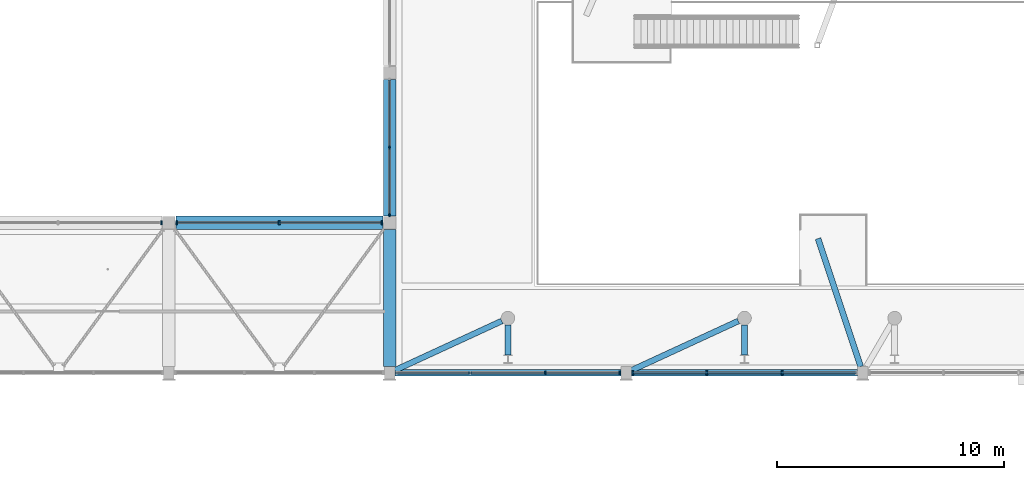
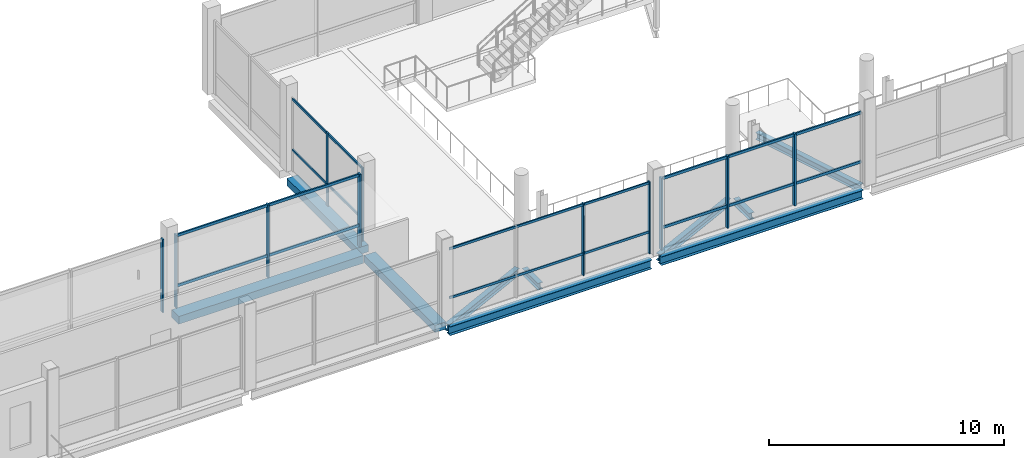
# One storey, part 25 of 95: 19 members, 10 beams, 5 elements without a shape of their own.
"""IFC4 building model written with IfcOpenShell, lengths in metres."""

from ifc_helpers import new_model, si_unit, derived_unit, direction, frame, origin, origin_2d, place, context, subcontext, project, spatial, rectangle, i_section, extrude, material, material_profile, profile_set, type_object, element, aggregate, save


model = new_model("IFC4")

# Units and contexts
model_context = context("Model", 3, precision=1e-05, world=origin(), true_north=direction((0.0, 1.0)))
body_context = subcontext(model_context, "Body", "Model", "MODEL_VIEW")
ifc_project = project(units=[si_unit("LENGTHUNIT", "METRE"), si_unit("AREAUNIT", "SQUARE_METRE"), si_unit("VOLUMEUNIT", "CUBIC_METRE"), si_unit("PLANEANGLEUNIT", "RADIAN"), si_unit("MASSUNIT", "GRAM", prefix="KILO"), derived_unit("THERMALTRANSMITTANCEUNIT", [(si_unit("POWERUNIT", "WATT"), 1), (si_unit("LENGTHUNIT", "METRE"), -2), (si_unit("THERMODYNAMICTEMPERATUREUNIT", "KELVIN"), -1)])], contexts=[model_context])

# Site, building, storey
site_placement = place(None, origin())
site = spatial("IfcSite", under=ifc_project, at=site_placement, CompositionType="ELEMENT")
building_placement = place(site_placement, origin())
building = spatial("IfcBuilding", under=site, at=building_placement, Name="Braskholm Square Health Centre", CompositionType="ELEMENT")
storey_placement = place(building_placement, frame((0.0, 0.0, 4.800048828125)))
storey = spatial("IfcBuildingStorey", under=building, at=storey_placement, Name="L02", CompositionType="ELEMENT", Elevation=4.800048828125)

# Curtain wall, members
ifc_material_1 = material(Name="Low-E triple insulating glass (VLT 0.64)", Category="glass")
curtain_wall_type = type_object("IfcCurtainWallType", Name="UnitisedCurtainWall6200x3800", PredefinedType="NOTDEFINED", material=ifc_material_1)
curtain_wall_1_placement = place(storey_placement, origin())
curtain_wall_1 = element("IfcCurtainWall", 1, at=curtain_wall_1_placement, inside=storey, type_object=curtain_wall_type, Name="Hall Gallery L02 unitised curtain wall CW-L02-0184", PredefinedType="NOTDEFINED")
ifc_material_2 = material(Name="Architectural bronze anodised aluminium", Category="aluminium")
ifc_material_profile_1 = material_profile(ifc_material_2, rectangle(XDim=0.06494140625, YDim=0.14990234375, at=origin_2d()), Name="ALU-65X150")
ifc_profile_set_1 = profile_set([ifc_material_profile_1], Name="Architectural bronze anodised aluminium")
member_type_1 = type_object("IfcMemberType", Name="CurtainWallMullion65x150", PredefinedType="MULLION", material=ifc_profile_set_1)
member_1_placement = place(storey_placement, frame((54.4560546875, 87.199951171875, 0.0), z_axis=(0.0, 0.0, 1.0), x_axis=(1.0, 0.0, 0.0)))
member_1 = element("IfcMember", 2, at=member_1_placement, type_object=member_type_1, Name="CW-L02-0184 vertical mullion 3", PredefinedType="MULLION", context=body_context, shape_type="SweptSolid", body=[
    extrude(rectangle(XDim=0.06494140625, YDim=0.14990234375, at=origin_2d()), origin(), (0.0, 0.0, 1.0), 3.737060546875),
])
member_2_placement = place(storey_placement, frame((57.70849609375, 87.199951171875, 0.0), z_axis=(0.0, 0.0, 1.0), x_axis=(1.0, 0.0, 0.0)))
member_2 = element("IfcMember", 3, at=member_2_placement, type_object=member_type_1, Name="CW-L02-0184 vertical mullion 4", PredefinedType="MULLION", context=body_context, shape_type="SweptSolid", body=[
    extrude(rectangle(XDim=0.06494140625, YDim=0.14990234375, at=origin_2d()), origin(), (0.0, 0.0, 1.0), 3.737060546875),
])

curtain_wall_2_placement = place(storey_placement, origin())
curtain_wall_2 = element("IfcCurtainWall", 4, at=curtain_wall_2_placement, inside=storey, type_object=curtain_wall_type, Name="Hall Cheek L02 unitised curtain wall CW-L02-0222", PredefinedType="NOTDEFINED")
member_3_placement = place(storey_placement, frame((47.60009765625, 97.10009765625, 0.0), z_axis=(0.0, 0.0, 1.0), x_axis=(1.0, 0.0, 0.0)))
member_3 = element("IfcMember", 5, at=member_3_placement, type_object=member_type_1, Name="CW-L02-0222 vertical mullion 2", PredefinedType="MULLION", context=body_context, shape_type="SweptSolid", body=[
    extrude(rectangle(XDim=0.06494140625, YDim=0.14990234375, at=origin_2d()), origin(), (0.0, 0.0, 1.0), 3.820068359375),
])
member_4_placement = place(storey_placement, frame((47.60009765625, 94.135986328125, 0.0), z_axis=(0.0, 0.0, 1.0), x_axis=(1.0, 0.0, 0.0)))
member_4 = element("IfcMember", 6, at=member_4_placement, type_object=member_type_1, Name="CW-L02-0222 vertical mullion 3", PredefinedType="MULLION", context=body_context, shape_type="SweptSolid", body=[
    extrude(rectangle(XDim=0.06494140625, YDim=0.14990234375, at=origin_2d()), origin(), (0.0, 0.0, 1.0), 3.820068359375),
])

# Curtain wall, member
curtain_wall_3_placement = place(storey_placement, origin())
curtain_wall_3 = element("IfcCurtainWall", 7, at=curtain_wall_3_placement, inside=storey, type_object=curtain_wall_type, Name="Portal North L02 unitised curtain wall CW-L02-0175", PredefinedType="NOTDEFINED")
ifc_material_profile_2 = material_profile(ifc_material_2, rectangle(XDim=0.074951171875, YDim=0.179931640625, at=origin_2d()), Name="ALU-75X180")
ifc_profile_set_2 = profile_set([ifc_material_profile_2], Name="Architectural bronze anodised aluminium")
member_type_2 = type_object("IfcMemberType", Name="CurtainWallMullion75x180", PredefinedType="MULLION", material=ifc_profile_set_2)
member_5_placement = place(storey_placement, frame((37.56787109375, 93.800048828125, 0.0), z_axis=(0.0, 0.0, 1.0), x_axis=(1.0, 0.0, 0.0)))
member_5 = element("IfcMember", 8, at=member_5_placement, type_object=member_type_2, Name="CW-L02-0175 vertical mullion 1", PredefinedType="MULLION", context=body_context, shape_type="SweptSolid", body=[
    extrude(rectangle(XDim=0.074951171875, YDim=0.179931640625, at=origin_2d()), origin(), (0.0, 0.0, 1.0), 3.800048828125),
])
aggregate(curtain_wall_3, [member_5])

# Curtain wall, members
curtain_wall_4_placement = place(storey_placement, origin())
curtain_wall_4 = element("IfcCurtainWall", 9, at=curtain_wall_4_placement, inside=storey, type_object=curtain_wall_type, Name="Portal North L02 unitised curtain wall CW-L02-0181", PredefinedType="NOTDEFINED")
member_6_placement = place(storey_placement, frame((47.26806640625, 93.800048828125, 0.0), z_axis=(0.0, 0.0, 1.0), x_axis=(1.0, 0.0, 0.0)))
member_6 = element("IfcMember", 10, at=member_6_placement, type_object=member_type_2, Name="CW-L02-0181 vertical mullion 1", PredefinedType="MULLION", context=body_context, shape_type="SweptSolid", body=[
    extrude(rectangle(XDim=0.074951171875, YDim=0.179931640625, at=origin_2d()), origin(), (0.0, 0.0, 1.0), 3.800048828125),
])
member_7_placement = place(storey_placement, frame((42.75, 93.800048828125, 0.0), z_axis=(0.0, 0.0, 1.0), x_axis=(1.0, 0.0, 0.0)))
member_7 = element("IfcMember", 11, at=member_7_placement, type_object=member_type_2, Name="CW-L02-0181 vertical mullion 2", PredefinedType="MULLION", context=body_context, shape_type="SweptSolid", body=[
    extrude(rectangle(XDim=0.074951171875, YDim=0.179931640625, at=origin_2d()), origin(), (0.0, 0.0, 1.0), 3.800048828125),
])
member_8_placement = place(storey_placement, frame((38.23193359375, 93.800048828125, 0.0), z_axis=(0.0, 0.0, 1.0), x_axis=(1.0, 0.0, 0.0)))
member_8 = element("IfcMember", 12, at=member_8_placement, type_object=member_type_2, Name="CW-L02-0181 vertical mullion 3", PredefinedType="MULLION", context=body_context, shape_type="SweptSolid", body=[
    extrude(rectangle(XDim=0.074951171875, YDim=0.179931640625, at=origin_2d()), origin(), (0.0, 0.0, 1.0), 3.800048828125),
])

curtain_wall_5_placement = place(storey_placement, origin())
curtain_wall_5 = element("IfcCurtainWall", 13, at=curtain_wall_5_placement, inside=storey, type_object=curtain_wall_type, Name="Hall Gallery L02 unitised curtain wall CW-L02-0187", PredefinedType="NOTDEFINED")
member_9_placement = place(storey_placement, frame((58.29150390625, 87.199951171875, 0.0), z_axis=(0.0, 0.0, 1.0), x_axis=(1.0, 0.0, 0.0)))
member_9 = element("IfcMember", 14, at=member_9_placement, type_object=member_type_2, Name="CW-L02-0187 vertical mullion 1", PredefinedType="MULLION", context=body_context, shape_type="SweptSolid", body=[
    extrude(rectangle(XDim=0.074951171875, YDim=0.179931640625, at=origin_2d()), origin(), (0.0, 0.0, 1.0), 3.737060546875),
])
member_10_placement = place(storey_placement, frame((61.5439453125, 87.199951171875, 0.0), z_axis=(0.0, 0.0, 1.0), x_axis=(1.0, 0.0, 0.0)))
member_10 = element("IfcMember", 15, at=member_10_placement, type_object=member_type_2, Name="CW-L02-0187 vertical mullion 2", PredefinedType="MULLION", context=body_context, shape_type="SweptSolid", body=[
    extrude(rectangle(XDim=0.074951171875, YDim=0.179931640625, at=origin_2d()), origin(), (0.0, 0.0, 1.0), 3.737060546875),
])
member_11_placement = place(storey_placement, frame((64.85595703125, 87.199951171875, 0.0), z_axis=(0.0, 0.0, 1.0), x_axis=(1.0, 0.0, 0.0)))
member_11 = element("IfcMember", 16, at=member_11_placement, type_object=member_type_2, Name="CW-L02-0187 vertical mullion 3", PredefinedType="MULLION", context=body_context, shape_type="SweptSolid", body=[
    extrude(rectangle(XDim=0.074951171875, YDim=0.179931640625, at=origin_2d()), origin(), (0.0, 0.0, 1.0), 3.737060546875),
])

# Member
ifc_material_profile_3 = material_profile(ifc_material_2, rectangle(XDim=0.06494140625, YDim=0.1201171875, at=origin_2d()), Name="ALU-65X120")
ifc_profile_set_3 = profile_set([ifc_material_profile_3], Name="Architectural bronze anodised aluminium")
member_type_3 = type_object("IfcMemberType", Name="CurtainWallTransom65x120", PredefinedType="USERDEFINED", material=ifc_profile_set_3)
member_12_placement = place(storey_placement, frame((47.876953125, 87.199951171875, 1.119873046875), z_axis=(1.0, 0.0, 0.0), x_axis=(0.0, 1.0, 0.0)))
member_12 = element("IfcMember", 17, at=member_12_placement, type_object=member_type_3, Name="CW-L02-0184 horizontal transom 1", ObjectType="TRANSOM", PredefinedType="USERDEFINED", context=body_context, shape_type="SweptSolid", body=[
    extrude(rectangle(XDim=0.06494140625, YDim=0.1201171875, at=origin_2d()), origin(), (0.0, 0.0, 1.0), 9.845947265625),
])

member_13_placement = place(storey_placement, frame((47.876953125, 87.199951171875, 3.6669921875), z_axis=(1.0, 0.0, 0.0), x_axis=(0.0, 1.0, 0.0)))
member_13 = element("IfcMember", 18, at=member_13_placement, type_object=member_type_3, Name="CW-L02-0184 horizontal transom 2", ObjectType="TRANSOM", PredefinedType="USERDEFINED", context=body_context, shape_type="SweptSolid", body=[
    extrude(rectangle(XDim=0.06494140625, YDim=0.1201171875, at=origin_2d()), origin(), (0.0, 0.0, 1.0), 9.845947265625),
])

aggregate(curtain_wall_1, [member_1, member_2, member_12, member_13])

member_14_placement = place(storey_placement, frame((47.60009765625, 100.054931640625, 1.119873046875), z_axis=(0.0, -1.0, 0.0), x_axis=(1.0, 0.0, 0.0)))
member_14 = element("IfcMember", 19, at=member_14_placement, type_object=member_type_3, Name="CW-L02-0222 horizontal transom 1", ObjectType="TRANSOM", PredefinedType="USERDEFINED", context=body_context, shape_type="SweptSolid", body=[
    extrude(rectangle(XDim=0.06494140625, YDim=0.1201171875, at=origin_2d()), origin(), (0.0, 0.0, 1.0), 5.909912109375),
])

member_15_placement = place(storey_placement, frame((47.60009765625, 100.054931640625, 3.75), z_axis=(0.0, -1.0, 0.0), x_axis=(1.0, 0.0, 0.0)))
member_15 = element("IfcMember", 20, at=member_15_placement, type_object=member_type_3, Name="CW-L02-0222 horizontal transom 2", ObjectType="TRANSOM", PredefinedType="USERDEFINED", context=body_context, shape_type="SweptSolid", body=[
    extrude(rectangle(XDim=0.06494140625, YDim=0.1201171875, at=origin_2d()), origin(), (0.0, 0.0, 1.0), 5.909912109375),
])

aggregate(curtain_wall_2, [member_3, member_4, member_14, member_15])

ifc_material_profile_4 = material_profile(ifc_material_2, rectangle(XDim=0.074951171875, YDim=0.139892578125, at=origin_2d()), Name="ALU-75X140")
ifc_profile_set_4 = profile_set([ifc_material_profile_4], Name="Architectural bronze anodised aluminium")
member_type_4 = type_object("IfcMemberType", Name="CurtainWallTransom75x140", PredefinedType="USERDEFINED", material=ifc_profile_set_4)
member_16_placement = place(storey_placement, frame((47.278076171875, 93.800048828125, 1.119873046875), z_axis=(-1.0, 0.0, 0.0), x_axis=(0.0, -1.0, 0.0)))
member_16 = element("IfcMember", 21, at=member_16_placement, type_object=member_type_4, Name="CW-L02-0181 horizontal transom 1", ObjectType="TRANSOM", PredefinedType="USERDEFINED", context=body_context, shape_type="SweptSolid", body=[
    extrude(rectangle(XDim=0.074951171875, YDim=0.139892578125, at=origin_2d()), origin(), (0.0, 0.0, 1.0), 9.05615234375),
])

member_17_placement = place(storey_placement, frame((47.278076171875, 93.800048828125, 3.72998046875), z_axis=(-1.0, 0.0, 0.0), x_axis=(0.0, -1.0, 0.0)))
member_17 = element("IfcMember", 22, at=member_17_placement, type_object=member_type_4, Name="CW-L02-0181 horizontal transom 2", ObjectType="TRANSOM", PredefinedType="USERDEFINED", context=body_context, shape_type="SweptSolid", body=[
    extrude(rectangle(XDim=0.074951171875, YDim=0.139892578125, at=origin_2d()), origin(), (0.0, 0.0, 1.0), 9.05615234375),
])

aggregate(curtain_wall_4, [member_6, member_7, member_8, member_16, member_17])

member_18_placement = place(storey_placement, frame((58.277099609375, 87.199951171875, 1.119873046875), z_axis=(1.0, 0.0, 0.0), x_axis=(0.0, 1.0, 0.0)))
member_18 = element("IfcMember", 23, at=member_18_placement, type_object=member_type_4, Name="CW-L02-0187 horizontal transom 1", ObjectType="TRANSOM", PredefinedType="USERDEFINED", context=body_context, shape_type="SweptSolid", body=[
    extrude(rectangle(XDim=0.074951171875, YDim=0.139892578125, at=origin_2d()), origin(), (0.0, 0.0, 1.0), 9.845947265625),
])

member_19_placement = place(storey_placement, frame((58.277099609375, 87.199951171875, 3.6669921875), z_axis=(1.0, 0.0, 0.0), x_axis=(0.0, 1.0, 0.0)))
member_19 = element("IfcMember", 24, at=member_19_placement, type_object=member_type_4, Name="CW-L02-0187 horizontal transom 2", ObjectType="TRANSOM", PredefinedType="USERDEFINED", context=body_context, shape_type="SweptSolid", body=[
    extrude(rectangle(XDim=0.074951171875, YDim=0.139892578125, at=origin_2d()), origin(), (0.0, 0.0, 1.0), 9.845947265625),
])

aggregate(curtain_wall_5, [member_9, member_10, member_11, member_18, member_19])

# Beams
ifc_material_3 = material(Name="Concrete C35/45 (f'c = 35 MPa)", Category="concrete")
ifc_material_profile_5 = material_profile(ifc_material_3, rectangle(XDim=0.550048828125, YDim=0.3798828125, at=origin_2d()), Name="RCB-550X380")
ifc_profile_set_5 = profile_set([ifc_material_profile_5], Name="Concrete C35/45 (f'c = 35 MPa)")
beam_type_1 = type_object("IfcBeamType", Name="PrimaryBandBeam550x380", PredefinedType="BEAM", material=ifc_profile_set_5)
beam_1_placement = place(storey_placement, frame((47.60009765625, 87.47998046875, -0.489990234375), z_axis=(0.0, 1.0, 0.0), x_axis=(-1.0, 0.0, 0.0)))
element("IfcBeam", 25, at=beam_1_placement, inside=storey, type_object=beam_type_1, Name="Beam 8/N-P L02", PredefinedType="BEAM", context=body_context, shape_type="SweptSolid", body=[
    extrude(rectangle(XDim=0.550048828125, YDim=0.3798828125, at=origin_2d()), origin(), (0.0, 0.0, 1.0), 6.02001953125),
])
beam_2_placement = place(storey_placement, frame((47.60009765625, 94.10009765625, -0.489990234375), z_axis=(0.0, 1.0, 0.0), x_axis=(-1.0, 0.0, 0.0)))
element("IfcBeam", 26, at=beam_2_placement, inside=storey, type_object=beam_type_1, Name="Beam 8/P-Q L02", PredefinedType="BEAM", context=body_context, shape_type="SweptSolid", body=[
    extrude(rectangle(XDim=0.550048828125, YDim=0.3798828125, at=origin_2d()), origin(), (0.0, 0.0, 1.0), 6.0),
])
ifc_material_profile_6 = material_profile(ifc_material_3, rectangle(XDim=0.60009765625, YDim=0.39990234375, at=origin_2d()), Name="RCB-600X400")
ifc_profile_set_6 = profile_set([ifc_material_profile_6], Name="Concrete C35/45 (f'c = 35 MPa)")
beam_type_2 = type_object("IfcBeamType", Name="PrimaryBandBeam600x400", PredefinedType="BEAM", material=ifc_profile_set_6)
beam_3_placement = place(storey_placement, frame((38.199951171875, 93.800048828125, -0.5), z_axis=(1.0, 0.0, 0.0), x_axis=(0.0, 1.0, 0.0)))
element("IfcBeam", 27, at=beam_3_placement, inside=storey, type_object=beam_type_2, Name="Beam 7-8/P L02", PredefinedType="BEAM", context=body_context, shape_type="SweptSolid", body=[
    extrude(rectangle(XDim=0.60009765625, YDim=0.39990234375, at=origin_2d()), origin(), (0.0, 0.0, 1.0), 9.10009765625),
])
ifc_material_4 = material(Name="Steel ASTM A992 Grade 50", Category="steel")
ifc_material_profile_7 = material_profile(ifc_material_4, i_section(OverallWidth=0.2548828125, OverallDepth=0.35693359375, WebThickness=0.010498046875, FlangeThickness=0.018310546875, at=origin_2d()), Name="W14X68")
ifc_profile_set_7 = profile_set([ifc_material_profile_7], Name="Steel ASTM A992 Grade 50")
beam_type_3 = type_object("IfcBeamType", Name="SteelBeamCanopyW14X68", PredefinedType="BEAM", material=ifc_profile_set_7)
for number, where, z_axis, x_axis, name in (
    (28, (52.529296875, 89.47509765625, -0.478515625), (-0.907966284726, -0.419043226649, 0.0), (0.419043226649, -0.907966284726, 0.0), "Tie beam RC01 L02"),
    (29, (62.929443359375, 89.47509765625, -0.478515625), (-0.907966284726, -0.419043226649, 0.0), (0.419043226649, -0.907966284726, 0.0), "Tie beam RC02 L02"),
):
    element("IfcBeam", number, at=place(storey_placement, frame(where, z_axis=z_axis, x_axis=x_axis)), inside=storey, type_object=beam_type_3, Name=name, PredefinedType="BEAM", context=body_context, shape_type="SweptSolid", body=[
        extrude(i_section(OverallWidth=0.2548828125, OverallDepth=0.35693359375, WebThickness=0.010498046875, FlangeThickness=0.018310546875, at=origin_2d()), origin(), (0.0, 0.0, 1.0), 5.177734375),
    ])
for number, where, z_axis, x_axis, name in (
    (30, (52.800048828125, 87.97607421875, -0.478515625), (0.0, 1.0, 0.0), (-1.0, 0.0, 0.0), "Tie beam CS1A L02"),
    (31, (63.199951171875, 87.97607421875, -0.478515625), (0.0, 1.0, 0.0), (-1.0, 0.0, 0.0), "Tie beam CS1B L02"),
):
    element("IfcBeam", number, at=place(storey_placement, frame(where, z_axis=z_axis, x_axis=x_axis)), inside=storey, type_object=beam_type_3, Name=name, PredefinedType="BEAM", context=body_context, shape_type="SweptSolid", body=[
        extrude(i_section(OverallWidth=0.2548828125, OverallDepth=0.35693359375, WebThickness=0.010498046875, FlangeThickness=0.018310546875, at=origin_2d()), origin(), (0.0, 0.0, 1.0), 1.325927734375),
    ])
beam_4_placement = place(storey_placement, frame((66.43310546875, 93.100341796875, -0.478515625), z_axis=(0.31625248279, -0.948675058768, 0.0), x_axis=(0.948675058768, 0.31625248279, 0.0)))
element("IfcBeam", 32, at=beam_4_placement, inside=storey, type_object=beam_type_3, Name="Tie beam CS3A L02", PredefinedType="BEAM", context=body_context, shape_type="SweptSolid", body=[
    extrude(i_section(OverallWidth=0.2548828125, OverallDepth=0.35693359375, WebThickness=0.010498046875, FlangeThickness=0.018310546875, at=origin_2d()), origin(), (0.0, 0.0, 1.0), 5.926513671875),
])
ifc_material_profile_8 = material_profile(ifc_material_4, i_section(OverallWidth=0.280029296875, OverallDepth=0.462890625, WebThickness=0.0107421875, FlangeThickness=0.017333984375, at=origin_2d()), Name="W18X76")
ifc_profile_set_8 = profile_set([ifc_material_profile_8], Name="Steel ASTM A992 Grade 50")
beam_type_4 = type_object("IfcBeamType", Name="SteelGirderGalleryW18X76", PredefinedType="BEAM", material=ifc_profile_set_8)
for number, where, z_axis, x_axis, name in (
    (33, (47.830078125, 87.199951171875, -0.531494140625), (1.0, 0.0, 0.0), (0.0, 1.0, 0.0), "Beam 8-9/N L02"),
    (34, (58.22998046875, 87.199951171875, -0.531494140625), (1.0, 0.0, 0.0), (0.0, 1.0, 0.0), "Beam 9-10/N L02"),
):
    element("IfcBeam", number, at=place(storey_placement, frame(where, z_axis=z_axis, x_axis=x_axis)), inside=storey, type_object=beam_type_4, Name=name, PredefinedType="BEAM", context=body_context, shape_type="SweptSolid", body=[
        extrude(i_section(OverallWidth=0.280029296875, OverallDepth=0.462890625, WebThickness=0.0107421875, FlangeThickness=0.017333984375, at=origin_2d()), origin(), (0.0, 0.0, 1.0), 9.93994140625),
    ])

save(model, "model.ifc")
